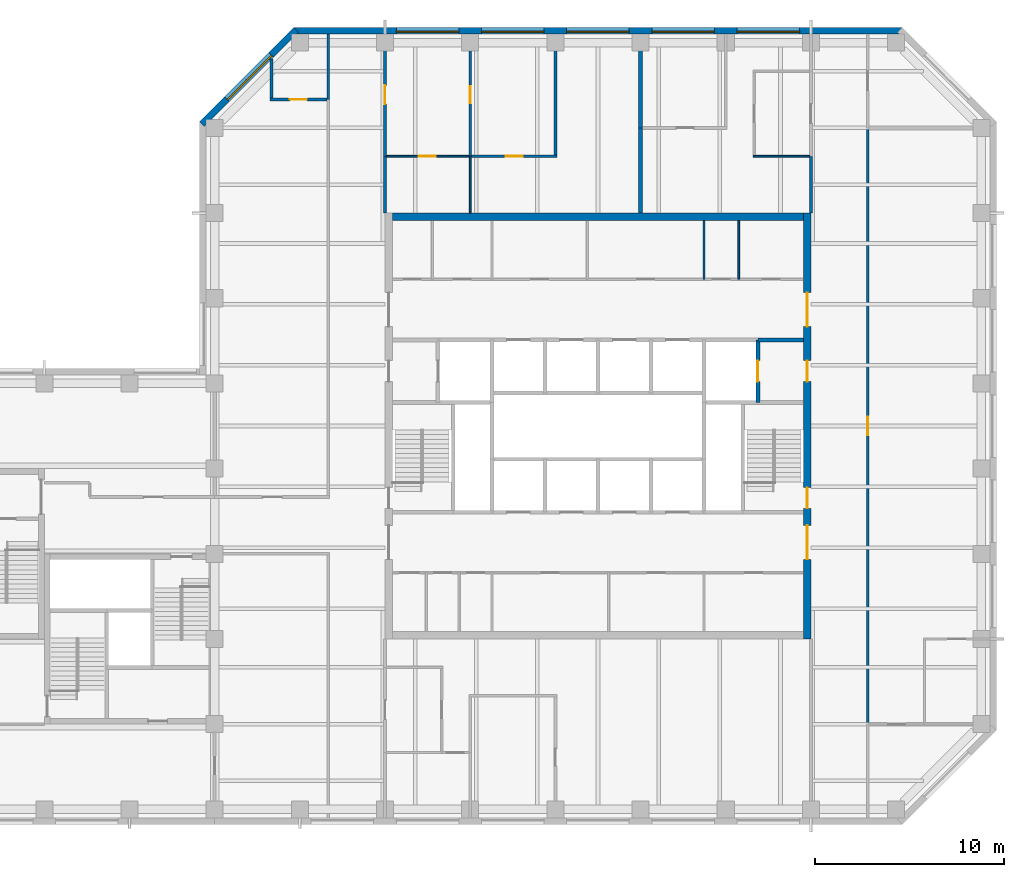
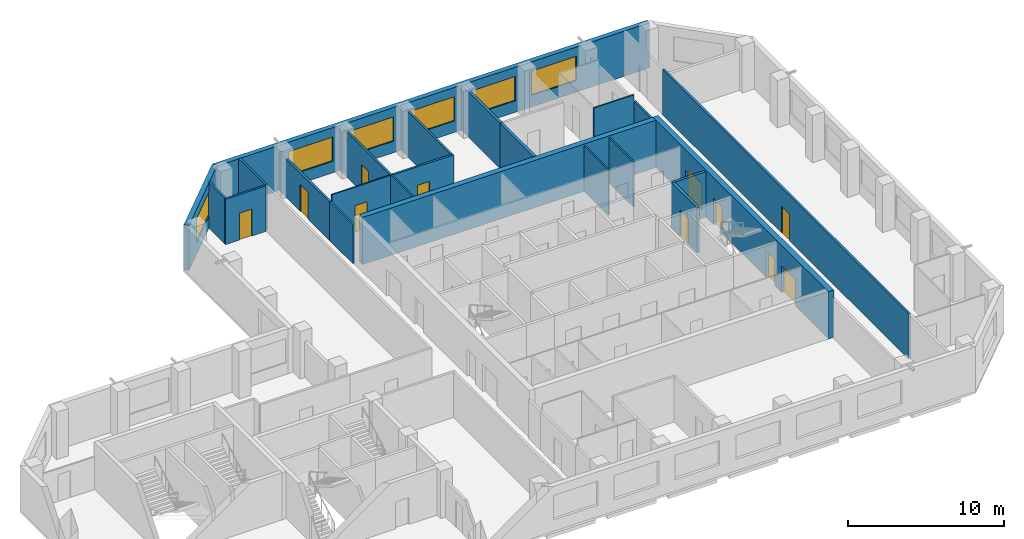
# One storey, part 6 of 9: 23 walls, 11 doors, 6 windows, 17 openings.
"""IFC4 building model written with IfcOpenShell, lengths in metres."""

from ifc_helpers import new_model, si_unit, direction, frame, frame_2d, origin, place, context, subcontext, project, spatial, rectangle, extrude, material, layer, layer_set, constituent, constituent_set, type_object, element, fill, save


model = new_model("IFC4")

# Units and contexts
model_context = context("Model", 3, precision=1e-05, world=origin(), true_north=direction((0.0, 1.0)))
body_context = subcontext(model_context, "Body", "Model", "MODEL_VIEW")
ifc_project = project(units=[si_unit("LENGTHUNIT", "METRE"), si_unit("AREAUNIT", "SQUARE_METRE"), si_unit("VOLUMEUNIT", "CUBIC_METRE"), si_unit("PLANEANGLEUNIT", "RADIAN"), si_unit("MASSUNIT", "GRAM", prefix="KILO")], contexts=[model_context])

# Site, building, storey
site_placement = place(None, origin())
site = spatial("IfcSite", under=ifc_project, at=site_placement, CompositionType="ELEMENT")
building_placement = place(site_placement, origin())
building = spatial("IfcBuilding", under=site, at=building_placement, Name="Quoin Convention Tower", CompositionType="ELEMENT")
storey_placement = place(building_placement, frame((0.0, 0.0, 169.89990234375)))
storey = spatial("IfcBuildingStorey", under=building, at=storey_placement, Name="L44", CompositionType="ELEMENT", Elevation=169.89990234375)

# Wall, opening, door
ifc_material_1 = material(Name="Plasterboard")
ifc_layer_1 = layer(ifc_material_1, 0.012451171875, Name="Finish")
ifc_material_2 = material(Name="Steel stud framing", Category="steel")
ifc_layer_2 = layer(ifc_material_2, 0.125, Name="Structure")
ifc_layer_3 = layer(ifc_material_1, 0.012451171875, Name="Finish")
ifc_layer_set_1 = layer_set([ifc_layer_1, ifc_layer_2, ifc_layer_3], Name="Steel stud framing")
wall_type_1 = type_object("IfcWallType", Name="Acoustic partition 150", PredefinedType="PARTITIONING", material=ifc_layer_set_1)
wall_1_placement = place(storey_placement, frame((49.574951171875, 75.0, 0.0), z_axis=(0.0, 0.0, 1.0), x_axis=(1.0, 0.0, 0.0)))
wall_1 = element("IfcWall", 1, at=wall_1_placement, inside=storey, type_object=wall_type_1, Name="pw-L44-019", PredefinedType="PARTITIONING", context=body_context, shape_type="SweptSolid", body=[
    extrude(rectangle(XDim=4.5, YDim=0.14990234375, at=frame_2d((2.25, 0.0))), origin(), (0.0, 0.0, 1.0), 3.550048828125),
])
opening_1_placement = place(wall_1_placement, frame((1.800048828125, 0.0, 0.0)))
opening_1 = element("IfcOpeningElement", 2, at=opening_1_placement, cuts=wall_1, Name="Opening DOH4-07", PredefinedType="OPENING", context=body_context, shape_type="SweptSolid", body=[
    extrude(rectangle(XDim=0.89990234375, YDim=2.10009765625, at=frame_2d((0.449951171875, 1.050048828125))), frame((0.0, 0.0849609375, 0.0), z_axis=(0.0, -1.0, 0.0), x_axis=(1.0, 0.0, 0.0)), (0.0, 0.0, 1.0), 0.169921875),
])
ifc_material_3 = material(Name="Steel door leaf", Category="steel")
door_type_1 = type_object("IfcDoorType", Name="Office door 900 x 2100", OperationType="SINGLE_SWING_RIGHT", PredefinedType="DOOR", material=ifc_material_3)
door_1_placement = place(opening_1_placement, frame((0.89990234375, 0.0, 0.0), z_axis=(0.0, 0.0, 1.0), x_axis=(-1.0, 0.0, 0.0)))
door_1 = element("IfcDoor", 3, at=door_1_placement, inside=storey, type_object=door_type_1, Name="dr-L44-18", OperationType="SINGLE_SWING_LEFT", OverallHeight=2.10009765625, OverallWidth=0.89990234375, PredefinedType="DOOR", context=body_context, shape_type="SweptSolid", body=[
    extrude(rectangle(XDim=0.89990234375, YDim=2.10009765625, at=frame_2d((0.449951171875, 1.050048828125))), frame((0.0, 0.02490234375, 0.0), z_axis=(0.0, -1.0, 0.0), x_axis=(1.0, 0.0, 0.0)), (0.0, 0.0, 1.0), 0.050048828125),
])
fill(opening_1, door_1)

wall_2_placement = place(storey_placement, frame((49.5, 75.0, 0.0), z_axis=(0.0, 0.0, 1.0), x_axis=(0.0, 1.0, 0.0)))
wall_2 = element("IfcWall", 4, at=wall_2_placement, inside=storey, type_object=wall_type_1, Name="pw-L44-057", PredefinedType="PARTITIONING", context=body_context, shape_type="SweptSolid", body=[
    extrude(rectangle(XDim=6.449951171875, YDim=0.14990234375, at=frame_2d((3.22509765625, 0.0))), origin(), (0.0, 0.0, 1.0), 3.550048828125),
])
opening_2_placement = place(wall_2_placement, frame((2.800048828125, 0.0, 0.0)))
opening_2 = element("IfcOpeningElement", 5, at=opening_2_placement, cuts=wall_2, Name="Opening DOH4-16", PredefinedType="OPENING", context=body_context, shape_type="SweptSolid", body=[
    extrude(rectangle(XDim=0.89990234375, YDim=2.10009765625, at=frame_2d((0.449951171875, 1.050048828125))), frame((0.0, 0.0849609375, 0.0), z_axis=(0.0, -1.0, 0.0), x_axis=(1.0, 0.0, 0.0)), (0.0, 0.0, 1.0), 0.169921875),
])
door_2_placement = place(opening_2_placement, origin())
door_2 = element("IfcDoor", 6, at=door_2_placement, inside=storey, type_object=door_type_1, Name="dr-L44-16", OperationType="SINGLE_SWING_RIGHT", OverallHeight=2.10009765625, OverallWidth=0.89990234375, PredefinedType="DOOR", context=body_context, shape_type="SweptSolid", body=[
    extrude(rectangle(XDim=0.89990234375, YDim=2.10009765625, at=frame_2d((0.449951171875, 1.050048828125))), frame((0.0, 0.02490234375, 0.0), z_axis=(0.0, -1.0, 0.0), x_axis=(1.0, 0.0, 0.0)), (0.0, 0.0, 1.0), 0.050048828125),
])
fill(opening_2, door_2)

# Wall
wall_3_placement = place(storey_placement, frame((54.0, 75.074951171875, 0.0), z_axis=(0.0, 0.0, 1.0), x_axis=(0.0, 1.0, 0.0)))
element("IfcWall", 7, at=wall_3_placement, inside=storey, type_object=wall_type_1, Name="pw-L44-060", PredefinedType="PARTITIONING", context=body_context, shape_type="SweptSolid", body=[
    extrude(rectangle(XDim=6.375, YDim=0.14990234375, at=frame_2d((3.1875, 0.0))), origin(), (0.0, 0.0, 1.0), 3.550048828125),
])

# Wall, openings, windows
ifc_material_4 = material(Name="Brick masonry", Category="masonry")
ifc_layer_4 = layer(ifc_material_4, 0.35009765625)
ifc_layer_set_2 = layer_set([ifc_layer_4], Name="Brick masonry")
wall_type_2 = type_object("IfcWallType", Name="Brick facade wall", PredefinedType="STANDARD", material=ifc_layer_set_2)
wall_4_placement = place(storey_placement, frame((72.331298828125, 81.625, 0.0), z_axis=(0.0, 0.0, 1.0), x_axis=(-1.0, 0.0, 0.0)))
wall_4 = element("IfcWall", 8, at=wall_4_placement, inside=storey, type_object=wall_type_2, Name="fw-L44-72000_81000", PredefinedType="STANDARD", context=body_context, shape_type="SweptSolid", body=[
    extrude(rectangle(XDim=32.16259765625, YDim=0.35009765625, at=frame_2d((16.081298828125, 0.0))), origin(), (0.0, 0.0, 1.0), 3.525146484375),
])
opening_3_placement = place(wall_4_placement, frame((5.431396484375, 0.0, 0.89990234375)))
opening_3 = element("IfcOpeningElement", 9, at=opening_3_placement, cuts=wall_4, Name="Opening W-02", PredefinedType="OPENING", context=body_context, shape_type="SweptSolid", body=[
    extrude(rectangle(XDim=3.300048828125, YDim=1.89990234375, at=frame_2d((1.64990234375, 0.949951171875))), frame((0.0, 0.18505859375, 0.0), z_axis=(0.0, -1.0, 0.0), x_axis=(1.0, 0.0, 0.0)), (0.0, 0.0, 1.0), 0.3701171875),
])
opening_4_placement = place(wall_4_placement, frame((9.931396484375, 0.0, 0.89990234375)))
opening_4 = element("IfcOpeningElement", 10, at=opening_4_placement, cuts=wall_4, Name="Opening W-02", PredefinedType="OPENING", context=body_context, shape_type="SweptSolid", body=[
    extrude(rectangle(XDim=3.300048828125, YDim=1.89990234375, at=frame_2d((1.64990234375, 0.949951171875))), frame((0.0, 0.18505859375, 0.0), z_axis=(0.0, -1.0, 0.0), x_axis=(1.0, 0.0, 0.0)), (0.0, 0.0, 1.0), 0.3701171875),
])
opening_5_placement = place(wall_4_placement, frame((14.431396484375, 0.0, 0.89990234375)))
opening_5 = element("IfcOpeningElement", 11, at=opening_5_placement, cuts=wall_4, Name="Opening W-02", PredefinedType="OPENING", context=body_context, shape_type="SweptSolid", body=[
    extrude(rectangle(XDim=3.300048828125, YDim=1.89990234375, at=frame_2d((1.64990234375, 0.949951171875))), frame((0.0, 0.18505859375, 0.0), z_axis=(0.0, -1.0, 0.0), x_axis=(1.0, 0.0, 0.0)), (0.0, 0.0, 1.0), 0.3701171875),
])
opening_6_placement = place(wall_4_placement, frame((18.931396484375, 0.0, 0.89990234375)))
opening_6 = element("IfcOpeningElement", 12, at=opening_6_placement, cuts=wall_4, Name="Opening W-02", PredefinedType="OPENING", context=body_context, shape_type="SweptSolid", body=[
    extrude(rectangle(XDim=3.300048828125, YDim=1.89990234375, at=frame_2d((1.64990234375, 0.949951171875))), frame((0.0, 0.18505859375, 0.0), z_axis=(0.0, -1.0, 0.0), x_axis=(1.0, 0.0, 0.0)), (0.0, 0.0, 1.0), 0.3701171875),
])
opening_7_placement = place(wall_4_placement, frame((23.431396484375, 0.0, 0.89990234375)))
opening_7 = element("IfcOpeningElement", 13, at=opening_7_placement, cuts=wall_4, Name="Opening W-02", PredefinedType="OPENING", context=body_context, shape_type="SweptSolid", body=[
    extrude(rectangle(XDim=3.300048828125, YDim=1.89990234375, at=frame_2d((1.64990234375, 0.949951171875))), frame((0.0, 0.18505859375, 0.0), z_axis=(0.0, -1.0, 0.0), x_axis=(1.0, 0.0, 0.0)), (0.0, 0.0, 1.0), 0.3701171875),
])
ifc_material_5 = material(Name="Aluminium", Category="aluminium")
ifc_constituent_1 = constituent(ifc_material_5, Name="Frame")
ifc_material_6 = material(Name="Insulated glass", Category="glass")
ifc_constituent_2 = constituent(ifc_material_6, Name="Glazing")
ifc_constituent_set = constituent_set(constituents=[ifc_constituent_1, ifc_constituent_2], Name="Aluminium")
window_type = type_object("IfcWindowType", Name="Office window", PartitioningType="DOUBLE_PANEL_VERTICAL", PredefinedType="WINDOW", material=ifc_constituent_set)
window_1_placement = place(opening_3_placement, origin())
window_1 = element("IfcWindow", 14, at=window_1_placement, inside=storey, type_object=window_type, Name="win-L44-65250_81625", OverallHeight=1.89990234375, OverallWidth=3.300048828125, PartitioningType="SINGLE_PANEL", PredefinedType="WINDOW", context=body_context, shape_type="SweptSolid", body=[
    extrude(rectangle(XDim=3.300048828125, YDim=1.89990234375, at=frame_2d((1.64990234375, 0.949951171875))), frame((0.0, 0.0849609375, 0.0), z_axis=(0.0, -1.0, 0.0), x_axis=(1.0, 0.0, 0.0)), (0.0, 0.0, 1.0), 0.06005859375),
])
fill(opening_3, window_1)
window_2_placement = place(opening_4_placement, origin())
window_2 = element("IfcWindow", 15, at=window_2_placement, inside=storey, type_object=window_type, Name="win-L44-60750_81625", OverallHeight=1.89990234375, OverallWidth=3.300048828125, PartitioningType="SINGLE_PANEL", PredefinedType="WINDOW", context=body_context, shape_type="SweptSolid", body=[
    extrude(rectangle(XDim=3.300048828125, YDim=1.89990234375, at=frame_2d((1.64990234375, 0.949951171875))), frame((0.0, 0.0849609375, 0.0), z_axis=(0.0, -1.0, 0.0), x_axis=(1.0, 0.0, 0.0)), (0.0, 0.0, 1.0), 0.06005859375),
])
fill(opening_4, window_2)
window_3_placement = place(opening_5_placement, origin())
window_3 = element("IfcWindow", 16, at=window_3_placement, inside=storey, type_object=window_type, Name="win-L44-56250_81625", OverallHeight=1.89990234375, OverallWidth=3.300048828125, PartitioningType="SINGLE_PANEL", PredefinedType="WINDOW", context=body_context, shape_type="SweptSolid", body=[
    extrude(rectangle(XDim=3.300048828125, YDim=1.89990234375, at=frame_2d((1.64990234375, 0.949951171875))), frame((0.0, 0.0849609375, 0.0), z_axis=(0.0, -1.0, 0.0), x_axis=(1.0, 0.0, 0.0)), (0.0, 0.0, 1.0), 0.06005859375),
])
fill(opening_5, window_3)
window_4_placement = place(opening_6_placement, origin())
window_4 = element("IfcWindow", 17, at=window_4_placement, inside=storey, type_object=window_type, Name="win-L44-51750_81625", OverallHeight=1.89990234375, OverallWidth=3.300048828125, PartitioningType="SINGLE_PANEL", PredefinedType="WINDOW", context=body_context, shape_type="SweptSolid", body=[
    extrude(rectangle(XDim=3.300048828125, YDim=1.89990234375, at=frame_2d((1.64990234375, 0.949951171875))), frame((0.0, 0.0849609375, 0.0), z_axis=(0.0, -1.0, 0.0), x_axis=(1.0, 0.0, 0.0)), (0.0, 0.0, 1.0), 0.06005859375),
])
fill(opening_6, window_4)
window_5_placement = place(opening_7_placement, origin())
window_5 = element("IfcWindow", 18, at=window_5_placement, inside=storey, type_object=window_type, Name="win-L44-47250_81625", OverallHeight=1.89990234375, OverallWidth=3.300048828125, PartitioningType="SINGLE_PANEL", PredefinedType="WINDOW", context=body_context, shape_type="SweptSolid", body=[
    extrude(rectangle(XDim=3.300048828125, YDim=1.89990234375, at=frame_2d((1.64990234375, 0.949951171875))), frame((0.0, 0.0849609375, 0.0), z_axis=(0.0, -1.0, 0.0), x_axis=(1.0, 0.0, 0.0)), (0.0, 0.0, 1.0), 0.06005859375),
])
fill(opening_7, window_5)

# Wall, opening, window
wall_5_placement = place(storey_placement, frame((40.29248046875, 81.67626953125, 0.0), z_axis=(0.0, 0.0, 1.0), x_axis=(-0.707106781187, -0.707106781187, 0.0)))
wall_5 = element("IfcWall", 19, at=wall_5_placement, inside=storey, type_object=wall_type_2, Name="fw-L44-40500_81000", PredefinedType="STANDARD", context=body_context, shape_type="SweptSolid", body=[
    extrude(rectangle(XDim=7.02685546875, YDim=0.35009765625, at=frame_2d((3.513427734375, 0.0))), origin(), (0.0, 0.0, 1.0), 3.525146484375),
])
opening_8_placement = place(wall_5_placement, frame((1.86328125, 0.0, 0.89990234375)))
opening_8 = element("IfcOpeningElement", 20, at=opening_8_placement, cuts=wall_5, Name="Opening W-02", PredefinedType="OPENING", context=body_context, shape_type="SweptSolid", body=[
    extrude(rectangle(XDim=3.300048828125, YDim=1.89990234375, at=frame_2d((1.64990234375, 0.949951171875))), frame((0.0, 0.18505859375, 0.0), z_axis=(0.0, -1.0, 0.0), x_axis=(1.0, 0.0, 0.0)), (0.0, 0.0, 1.0), 0.3701171875),
])
window_6_placement = place(opening_8_placement, origin())
window_6 = element("IfcWindow", 21, at=window_6_placement, inside=storey, type_object=window_type, Name="win-L44-37808_79192", OverallHeight=1.89990234375, OverallWidth=3.300048828125, PartitioningType="SINGLE_PANEL", PredefinedType="WINDOW", context=body_context, shape_type="SweptSolid", body=[
    extrude(rectangle(XDim=3.300048828125, YDim=1.89990234375, at=frame_2d((1.64990234375, 0.949951171875))), frame((0.0, 0.0849609375, 0.0), z_axis=(0.0, -1.0, 0.0), x_axis=(1.0, 0.0, 0.0)), (0.0, 0.0, 1.0), 0.06005859375),
])
fill(opening_8, window_6)

# Walls
ifc_layer_5 = layer(ifc_material_1, 0.012451171875, Name="Finish")
ifc_layer_6 = layer(ifc_material_2, 0.074951171875, Name="Structure")
ifc_layer_7 = layer(ifc_material_1, 0.012451171875, Name="Finish")
ifc_layer_set_3 = layer_set([ifc_layer_5, ifc_layer_6, ifc_layer_7], Name="Steel stud framing")
wall_type_3 = type_object("IfcWallType", Name="Core partition wall", PredefinedType="PARTITIONING", material=ifc_layer_set_3)
for number, where, z_axis, x_axis, name in (
    (22, (61.85009765625, 68.5, 0.0), (0.0, 0.0, 1.0), (0.0, 1.0, 0.0), "cr-C1-L44-v16850_19000"),
    (23, (63.6875, 68.5, 0.0), (0.0, 0.0, 1.0), (0.0, 1.0, 0.0), "cr-C1-L44-v18688_19000"),
):
    element("IfcWall", number, at=place(storey_placement, frame(where, z_axis=z_axis, x_axis=x_axis)), inside=storey, type_object=wall_type_3, Name=name, PredefinedType="PARTITIONING", context=body_context, shape_type="SweptSolid", body=[
        extrude(rectangle(XDim=3.10009765625, YDim=0.10009765625, at=frame_2d((1.550048828125, 0.0))), origin(), (0.0, 0.0, 1.0), 3.550048828125),
    ])
ifc_material_7 = material(Name="Concrete C50", Category="concrete")
ifc_layer_8 = layer(ifc_material_7, 0.199951171875)
ifc_layer_set_4 = layer_set([ifc_layer_8], Name="Concrete C50")
wall_type_4 = type_object("IfcWallType", Name="Core shaft wall", PredefinedType="SOLIDWALL", material=ifc_layer_set_4)
wall_6_placement = place(storey_placement, frame((64.699951171875, 65.300048828125, 0.0), z_axis=(0.0, 0.0, 1.0), x_axis=(1.0, 0.0, 0.0)))
element("IfcWall", 24, at=wall_6_placement, inside=storey, type_object=wall_type_4, Name="cr-C1-L44-h15800_19700", PredefinedType="SOLIDWALL", context=body_context, shape_type="SweptSolid", body=[
    extrude(rectangle(XDim=2.400146484375, YDim=0.199951171875, at=frame_2d((1.2001953125, 0.0))), origin(), (0.0, 0.0, 1.0), 3.550048828125),
])

# Wall, opening, door
wall_7_placement = place(storey_placement, frame((64.699951171875, 62.0, 0.0), z_axis=(0.0, 0.0, 1.0), x_axis=(0.0, 1.0, 0.0)))
wall_7 = element("IfcWall", 25, at=wall_7_placement, inside=storey, type_object=wall_type_4, Name="cr-C1-L44-v19700_12500", PredefinedType="SOLIDWALL", context=body_context, shape_type="SweptSolid", body=[
    extrude(rectangle(XDim=3.300048828125, YDim=0.199951171875, at=frame_2d((1.64990234375, 0.0))), origin(), (0.0, 0.0, 1.0), 3.550048828125),
])
opening_9_placement = place(wall_7_placement, frame((1.10009765625, 0.0, 0.0)))
opening_9 = element("IfcOpeningElement", 26, at=opening_9_placement, cuts=wall_7, Name="Opening LDFL2", PredefinedType="OPENING", context=body_context, shape_type="SweptSolid", body=[
    extrude(rectangle(XDim=1.10009765625, YDim=2.10009765625, at=frame_2d((0.550048828125, 1.050048828125))), frame((0.0, 0.10986328125, 0.0), z_axis=(0.0, -1.0, 0.0), x_axis=(1.0, 0.0, 0.0)), (0.0, 0.0, 1.0), 0.219970703125),
])
door_type_2 = type_object("IfcDoorType", Name="Lift landing door 1100 x 2100", OperationType="DOUBLE_DOOR_SLIDING", PredefinedType="DOOR", material=ifc_material_3)
door_3_placement = place(opening_9_placement, origin())
door_3 = element("IfcDoor", 27, at=door_3_placement, inside=storey, type_object=door_type_2, Name="cd-C1-L44-FLE-FFE-LDFL2", OperationType="DOUBLE_DOOR_SLIDING", OverallHeight=2.10009765625, OverallWidth=1.10009765625, PredefinedType="DOOR", context=body_context, shape_type="SweptSolid", body=[
    extrude(rectangle(XDim=1.10009765625, YDim=2.10009765625, at=frame_2d((0.550048828125, 1.050048828125))), frame((0.0, 0.02490234375, 0.0), z_axis=(0.0, -1.0, 0.0), x_axis=(1.0, 0.0, 0.0)), (0.0, 0.0, 1.0), 0.050048828125),
])
fill(opening_9, door_3)

ifc_layer_9 = layer(ifc_material_1, 0.012451171875, Name="Finish")
ifc_layer_10 = layer(ifc_material_2, 0.125, Name="Structure")
ifc_layer_11 = layer(ifc_material_1, 0.012451171875, Name="Finish")
ifc_layer_set_5 = layer_set([ifc_layer_9, ifc_layer_10, ifc_layer_11], Name="Steel stud framing")
wall_type_5 = type_object("IfcWallType", Name="Corridor wall 150", PredefinedType="PARTITIONING", material=ifc_layer_set_5)
wall_8_placement = place(storey_placement, frame((70.5, 45.0, 0.0), z_axis=(0.0, 0.0, 1.0), x_axis=(0.0, 1.0, 0.0)))
wall_8 = element("IfcWall", 28, at=wall_8_placement, inside=storey, type_object=wall_type_5, Name="pw-L44-039", PredefinedType="PARTITIONING", context=body_context, shape_type="SweptSolid", body=[
    extrude(rectangle(XDim=31.5, YDim=0.14990234375, at=frame_2d((15.75, 0.0))), origin(), (0.0, 0.0, 1.0), 3.550048828125),
])
opening_10_placement = place(wall_8_placement, frame((15.25, 0.0, 0.0)))
opening_10 = element("IfcOpeningElement", 29, at=opening_10_placement, cuts=wall_8, Name="Opening DOH4-14", PredefinedType="OPENING", context=body_context, shape_type="SweptSolid", body=[
    extrude(rectangle(XDim=1.0, YDim=2.10009765625, at=frame_2d((0.5, 1.050048828125))), frame((0.0, 0.0849609375, 0.0), z_axis=(0.0, -1.0, 0.0), x_axis=(1.0, 0.0, 0.0)), (0.0, 0.0, 1.0), 0.169921875),
])
door_type_3 = type_object("IfcDoorType", Name="Tenancy entrance door 1000 x 2100", OperationType="DOUBLE_DOOR_SINGLE_SWING", PredefinedType="DOOR", material=ifc_material_3)
door_4_placement = place(opening_10_placement, frame((1.0, 0.0, 0.0), z_axis=(0.0, 0.0, 1.0), x_axis=(-1.0, 0.0, 0.0)))
door_4 = element("IfcDoor", 30, at=door_4_placement, inside=storey, type_object=door_type_3, Name="dr-L44-22", OperationType="DOUBLE_DOOR_SINGLE_SWING", OverallHeight=2.10009765625, OverallWidth=1.0, PredefinedType="DOOR", context=body_context, shape_type="SweptSolid", body=[
    extrude(rectangle(XDim=1.0, YDim=2.10009765625, at=frame_2d((0.5, 1.050048828125))), frame((0.0, 0.02490234375, 0.0), z_axis=(0.0, -1.0, 0.0), x_axis=(1.0, 0.0, 0.0)), (0.0, 0.0, 1.0), 0.050048828125),
])
fill(opening_10, door_4)

# Walls
wall_9_placement = place(storey_placement, frame((42.0, 78.0, 0.0), z_axis=(0.0, 0.0, 1.0), x_axis=(0.0, 1.0, 0.0)))
element("IfcWall", 31, at=wall_9_placement, inside=storey, type_object=wall_type_5, Name="pw-L44-064", PredefinedType="PARTITIONING", context=body_context, shape_type="SweptSolid", body=[
    extrude(rectangle(XDim=3.449951171875, YDim=0.14990234375, at=frame_2d((1.72509765625, 0.0))), origin(), (0.0, 0.0, 1.0), 3.550048828125),
])
ifc_layer_12 = layer(ifc_material_1, 0.012451171875, Name="Finish")
ifc_layer_13 = layer(ifc_material_2, 0.125, Name="Structure")
ifc_layer_14 = layer(ifc_material_1, 0.012451171875, Name="Finish")
ifc_layer_set_6 = layer_set([ifc_layer_12, ifc_layer_13, ifc_layer_14], Name="Steel stud framing")
wall_type_6 = type_object("IfcWallType", Name="Corridor wall 150 under beam 528", PredefinedType="PARTITIONING", material=ifc_layer_set_6)
for number, where, z_axis, x_axis, name in (
    (32, (45.0, 72.0, 0.0), (0.0, 0.0, 1.0), (0.0, 1.0, 0.0), "pw-L44-052"),
    (33, (67.5, 72.0, 0.0), (0.0, 0.0, 1.0), (0.0, 1.0, 0.0), "pw-L44-055"),
):
    element("IfcWall", number, at=place(storey_placement, frame(where, z_axis=z_axis, x_axis=x_axis)), inside=storey, type_object=wall_type_6, Name=name, PredefinedType="PARTITIONING", context=body_context, shape_type="SweptSolid", body=[
        extrude(rectangle(XDim=3.0, YDim=0.14990234375, at=frame_2d((1.5, 0.0))), origin(), (0.0, 0.0, 1.0), 3.022216796875),
    ])

# Wall, opening, door
wall_10_placement = place(storey_placement, frame((45.0, 75.0, 0.0), z_axis=(0.0, 0.0, 1.0), x_axis=(0.0, 1.0, 0.0)))
wall_10 = element("IfcWall", 34, at=wall_10_placement, inside=storey, type_object=wall_type_6, Name="pw-L44-056", PredefinedType="PARTITIONING", context=body_context, shape_type="SweptSolid", body=[
    extrude(rectangle(XDim=6.449951171875, YDim=0.14990234375, at=frame_2d((3.22509765625, 0.0))), origin(), (0.0, 0.0, 1.0), 3.022216796875),
])
opening_11_placement = place(wall_10_placement, frame((2.75, 0.0, 0.0)))
opening_11 = element("IfcOpeningElement", 35, at=opening_11_placement, cuts=wall_10, Name="Opening DOH4-15", PredefinedType="OPENING", context=body_context, shape_type="SweptSolid", body=[
    extrude(rectangle(XDim=1.0, YDim=2.10009765625, at=frame_2d((0.5, 1.050048828125))), frame((0.0, 0.0849609375, 0.0), z_axis=(0.0, -1.0, 0.0), x_axis=(1.0, 0.0, 0.0)), (0.0, 0.0, 1.0), 0.169921875),
])
door_5_placement = place(opening_11_placement, frame((1.0, 0.0, 0.0), z_axis=(0.0, 0.0, 1.0), x_axis=(-1.0, 0.0, 0.0)))
door_5 = element("IfcDoor", 36, at=door_5_placement, inside=storey, type_object=door_type_3, Name="dr-L44-15", OperationType="DOUBLE_DOOR_SINGLE_SWING", OverallHeight=2.10009765625, OverallWidth=1.0, PredefinedType="DOOR", context=body_context, shape_type="SweptSolid", body=[
    extrude(rectangle(XDim=1.0, YDim=2.10009765625, at=frame_2d((0.5, 1.050048828125))), frame((0.0, 0.02490234375, 0.0), z_axis=(0.0, -1.0, 0.0), x_axis=(1.0, 0.0, 0.0)), (0.0, 0.0, 1.0), 0.050048828125),
])
fill(opening_11, door_5)

# Wall
ifc_layer_15 = layer(ifc_material_7, 0.39990234375)
ifc_layer_set_7 = layer_set([ifc_layer_15], Name="Concrete C50")
wall_type_7 = type_object("IfcWallType", Name="RC CORE WALL 400 C50", PredefinedType="SHEAR", material=ifc_layer_set_7)
wall_11_placement = place(storey_placement, frame((45.39990234375, 71.800048828125, 0.0), z_axis=(0.0, 0.0, 1.0), x_axis=(1.0, 0.0, 0.0)))
element("IfcWall", 37, at=wall_11_placement, inside=storey, type_object=wall_type_7, Name="cwl-C1-L44-N", PredefinedType="SHEAR", context=body_context, shape_type="SweptSolid", body=[
    extrude(rectangle(XDim=21.7001953125, YDim=0.39990234375, at=frame_2d((10.85009765625, 0.0))), origin(), (0.0, 0.0, 1.0), 3.7001953125),
])

# Wall, openings, doors
wall_12_placement = place(storey_placement, frame((67.300048828125, 49.5, 0.0), z_axis=(0.0, 0.0, 1.0), x_axis=(0.0, 1.0, 0.0)))
wall_12 = element("IfcWall", 38, at=wall_12_placement, inside=storey, type_object=wall_type_7, Name="cwl-C1-L44-E", PredefinedType="SHEAR", context=body_context, shape_type="SweptSolid", body=[
    extrude(rectangle(XDim=22.5, YDim=0.39990234375, at=frame_2d((11.25, 0.0))), origin(), (0.0, 0.0, 1.0), 3.7001953125),
])
opening_12_placement = place(wall_12_placement, frame((4.199951171875, 0.0, 0.0)))
opening_12 = element("IfcOpeningElement", 39, at=opening_12_placement, cuts=wall_12, Name="Opening DCV3-38", PredefinedType="OPENING", context=body_context, shape_type="SweptSolid", body=[
    extrude(rectangle(XDim=1.800048828125, YDim=2.10009765625, at=frame_2d((0.89990234375, 1.050048828125))), frame((0.0, 0.2099609375, 0.0), z_axis=(0.0, -1.0, 0.0), x_axis=(1.0, 0.0, 0.0)), (0.0, 0.0, 1.0), 0.419921875),
])
opening_13_placement = place(wall_12_placement, frame((6.89990234375, 0.0, 0.0)))
opening_13 = element("IfcOpeningElement", 40, at=opening_13_placement, cuts=wall_12, Name="Opening SD2", PredefinedType="OPENING", context=body_context, shape_type="SweptSolid", body=[
    extrude(rectangle(XDim=1.10009765625, YDim=2.10009765625, at=frame_2d((0.550048828125, 1.050048828125))), frame((0.0, 0.2099609375, 0.0), z_axis=(0.0, -1.0, 0.0), x_axis=(1.0, 0.0, 0.0)), (0.0, 0.0, 1.0), 0.419921875),
])
opening_14_placement = place(wall_12_placement, frame((13.60009765625, 0.0, 0.0)))
opening_14 = element("IfcOpeningElement", 41, at=opening_14_placement, cuts=wall_12, Name="Opening DCV3-37", PredefinedType="OPENING", context=body_context, shape_type="SweptSolid", body=[
    extrude(rectangle(XDim=1.10009765625, YDim=2.10009765625, at=frame_2d((0.550048828125, 1.050048828125))), frame((0.0, 0.2099609375, 0.0), z_axis=(0.0, -1.0, 0.0), x_axis=(1.0, 0.0, 0.0)), (0.0, 0.0, 1.0), 0.419921875),
])
opening_15_placement = place(wall_12_placement, frame((16.5, 0.0, 0.0)))
opening_15 = element("IfcOpeningElement", 42, at=opening_15_placement, cuts=wall_12, Name="Opening DCV3-38", PredefinedType="OPENING", context=body_context, shape_type="SweptSolid", body=[
    extrude(rectangle(XDim=1.800048828125, YDim=2.10009765625, at=frame_2d((0.89990234375, 1.050048828125))), frame((0.0, 0.2099609375, 0.0), z_axis=(0.0, -1.0, 0.0), x_axis=(1.0, 0.0, 0.0)), (0.0, 0.0, 1.0), 0.419921875),
])
door_type_4 = type_object("IfcDoorType", Name="Fire-fighting lobby door 1100 x 2100", OperationType="SINGLE_SWING_LEFT", PredefinedType="DOOR", material=ifc_material_3)
door_6_placement = place(opening_14_placement, origin())
door_6 = element("IfcDoor", 43, at=door_6_placement, inside=storey, type_object=door_type_4, Name="cd-C1-L44-FFE-E", OperationType="SINGLE_SWING_RIGHT", OverallHeight=2.10009765625, OverallWidth=1.10009765625, PredefinedType="DOOR", context=body_context, shape_type="SweptSolid", body=[
    extrude(rectangle(XDim=1.10009765625, YDim=2.10009765625, at=frame_2d((0.550048828125, 1.050048828125))), frame((0.0, 0.02490234375, 0.0), z_axis=(0.0, -1.0, 0.0), x_axis=(1.0, 0.0, 0.0)), (0.0, 0.0, 1.0), 0.050048828125),
])
fill(opening_14, door_6)
door_type_5 = type_object("IfcDoorType", Name="Lift lobby door 1800 x 2100", OperationType="SINGLE_SWING_LEFT", PredefinedType="DOOR", material=ifc_material_3)
door_7_placement = place(opening_12_placement, origin())
door_7 = element("IfcDoor", 44, at=door_7_placement, inside=storey, type_object=door_type_5, Name="cd-C1-L44-lobA-E", OperationType="SINGLE_SWING_RIGHT", OverallHeight=2.10009765625, OverallWidth=1.800048828125, PredefinedType="DOOR", context=body_context, shape_type="SweptSolid", body=[
    extrude(rectangle(XDim=1.800048828125, YDim=2.10009765625, at=frame_2d((0.89990234375, 1.050048828125))), frame((0.0, 0.02490234375, 0.0), z_axis=(0.0, -1.0, 0.0), x_axis=(1.0, 0.0, 0.0)), (0.0, 0.0, 1.0), 0.050048828125),
])
fill(opening_12, door_7)
door_8_placement = place(opening_15_placement, origin())
door_8 = element("IfcDoor", 45, at=door_8_placement, inside=storey, type_object=door_type_5, Name="cd-C1-L44-lobB-E", OperationType="SINGLE_SWING_RIGHT", OverallHeight=2.10009765625, OverallWidth=1.800048828125, PredefinedType="DOOR", context=body_context, shape_type="SweptSolid", body=[
    extrude(rectangle(XDim=1.800048828125, YDim=2.10009765625, at=frame_2d((0.89990234375, 1.050048828125))), frame((0.0, 0.02490234375, 0.0), z_axis=(0.0, -1.0, 0.0), x_axis=(1.0, 0.0, 0.0)), (0.0, 0.0, 1.0), 0.050048828125),
])
fill(opening_15, door_8)
door_type_6 = type_object("IfcDoorType", Name="Stair door 1100 x 2100", OperationType="SINGLE_SWING_RIGHT", PredefinedType="DOOR", material=ifc_material_3)
door_9_placement = place(opening_13_placement, origin())
door_9 = element("IfcDoor", 46, at=door_9_placement, inside=storey, type_object=door_type_6, Name="cd-C1-L44-STE-E", OperationType="SINGLE_SWING_LEFT", OverallHeight=2.10009765625, OverallWidth=1.10009765625, PredefinedType="DOOR", context=body_context, shape_type="SweptSolid", body=[
    extrude(rectangle(XDim=1.10009765625, YDim=2.10009765625, at=frame_2d((0.550048828125, 1.050048828125))), frame((0.0, 0.02490234375, 0.0), z_axis=(0.0, -1.0, 0.0), x_axis=(1.0, 0.0, 0.0)), (0.0, 0.0, 1.0), 0.050048828125),
])
fill(opening_13, door_9)

# Wall, opening, door
ifc_layer_16 = layer(ifc_material_1, 0.012451171875, Name="Finish")
ifc_layer_17 = layer(ifc_material_2, 0.074951171875, Name="Structure")
ifc_layer_18 = layer(ifc_material_1, 0.012451171875, Name="Finish")
ifc_layer_set_8 = layer_set([ifc_layer_16, ifc_layer_17, ifc_layer_18], Name="Steel stud framing")
wall_type_8 = type_object("IfcWallType", Name="Stud partition 100", PredefinedType="PARTITIONING", material=ifc_layer_set_8)
wall_13_placement = place(storey_placement, frame((45.074951171875, 75.0, 0.0), z_axis=(0.0, 0.0, 1.0), x_axis=(1.0, 0.0, 0.0)))
wall_13 = element("IfcWall", 47, at=wall_13_placement, inside=storey, type_object=wall_type_8, Name="pw-L44-018", PredefinedType="PARTITIONING", context=body_context, shape_type="SweptSolid", body=[
    extrude(rectangle(XDim=4.35009765625, YDim=0.10009765625, at=frame_2d((2.175048828125, 0.0))), origin(), (0.0, 0.0, 1.0), 3.550048828125),
])
opening_16_placement = place(wall_13_placement, frame((1.699951171875, 0.0, 0.0)))
opening_16 = element("IfcOpeningElement", 48, at=opening_16_placement, cuts=wall_13, Name="Opening DOH4-06", PredefinedType="OPENING", context=body_context, shape_type="SweptSolid", body=[
    extrude(rectangle(XDim=0.89990234375, YDim=2.10009765625, at=frame_2d((0.449951171875, 1.050048828125))), frame((0.0, 0.06005859375, 0.0), z_axis=(0.0, -1.0, 0.0), x_axis=(1.0, 0.0, 0.0)), (0.0, 0.0, 1.0), 0.1201171875),
])
door_10_placement = place(opening_16_placement, origin())
door_10 = element("IfcDoor", 49, at=door_10_placement, inside=storey, type_object=door_type_1, Name="dr-L44-17", OperationType="SINGLE_SWING_RIGHT", OverallHeight=2.10009765625, OverallWidth=0.89990234375, PredefinedType="DOOR", context=body_context, shape_type="SweptSolid", body=[
    extrude(rectangle(XDim=0.89990234375, YDim=2.10009765625, at=frame_2d((0.449951171875, 1.050048828125))), frame((0.0, 0.02490234375, 0.0), z_axis=(0.0, -1.0, 0.0), x_axis=(1.0, 0.0, 0.0)), (0.0, 0.0, 1.0), 0.050048828125),
])
fill(opening_16, door_10)

# Walls
wall_14_placement = place(storey_placement, frame((64.449951171875, 75.0, 0.0), z_axis=(0.0, 0.0, 1.0), x_axis=(1.0, 0.0, 0.0)))
element("IfcWall", 50, at=wall_14_placement, inside=storey, type_object=wall_type_8, Name="pw-L44-020", PredefinedType="PARTITIONING", context=body_context, shape_type="SweptSolid", body=[
    extrude(rectangle(XDim=2.97509765625, YDim=0.10009765625, at=frame_2d((1.487548828125, 0.0))), origin(), (0.0, 0.0, 1.0), 3.550048828125),
])
wall_15_placement = place(storey_placement, frame((49.5, 72.0, 0.0), z_axis=(0.0, 0.0, 1.0), x_axis=(0.0, 1.0, 0.0)))
element("IfcWall", 51, at=wall_15_placement, inside=storey, type_object=wall_type_8, Name="pw-L44-053", PredefinedType="PARTITIONING", context=body_context, shape_type="SweptSolid", body=[
    extrude(rectangle(XDim=3.0, YDim=0.10009765625, at=frame_2d((1.5, 0.0))), origin(), (0.0, 0.0, 1.0), 3.550048828125),
])
ifc_layer_19 = layer(ifc_material_1, 0.012451171875, Name="Finish")
ifc_layer_20 = layer(ifc_material_2, 0.175048828125, Name="Structure")
ifc_layer_21 = layer(ifc_material_1, 0.012451171875, Name="Finish")
ifc_layer_set_9 = layer_set([ifc_layer_19, ifc_layer_20, ifc_layer_21], Name="Steel stud framing")
wall_type_9 = type_object("IfcWallType", Name="Tenancy demising wall 200", PredefinedType="PARTITIONING", material=ifc_layer_set_9)
wall_16_placement = place(storey_placement, frame((58.5, 72.0, 0.0), z_axis=(0.0, 0.0, 1.0), x_axis=(0.0, 1.0, 0.0)))
element("IfcWall", 52, at=wall_16_placement, inside=storey, type_object=wall_type_9, Name="pw-L44-054", PredefinedType="PARTITIONING", context=body_context, shape_type="SweptSolid", body=[
    extrude(rectangle(XDim=4.5, YDim=0.199951171875, at=frame_2d((2.25, 0.0))), origin(), (0.0, 0.0, 1.0), 3.550048828125),
])
wall_17_placement = place(storey_placement, frame((58.5, 76.5, 0.0), z_axis=(0.0, 0.0, 1.0), x_axis=(0.0, 1.0, 0.0)))
element("IfcWall", 53, at=wall_17_placement, inside=storey, type_object=wall_type_9, Name="pw-L44-061", PredefinedType="PARTITIONING", context=body_context, shape_type="SweptSolid", body=[
    extrude(rectangle(XDim=4.949951171875, YDim=0.199951171875, at=frame_2d((2.47509765625, 0.0))), origin(), (0.0, 0.0, 1.0), 3.550048828125),
])

# Wall, opening, door
ifc_layer_22 = layer(ifc_material_1, 0.012451171875, Name="Finish")
ifc_layer_23 = layer(ifc_material_2, 0.125, Name="Structure")
ifc_layer_24 = layer(ifc_material_1, 0.012451171875, Name="Finish")
ifc_layer_set_10 = layer_set([ifc_layer_22, ifc_layer_23, ifc_layer_24], Name="Steel stud framing")
wall_type_10 = type_object("IfcWallType", Name="Wet area partition 150", PredefinedType="PARTITIONING", material=ifc_layer_set_10)
wall_18_placement = place(storey_placement, frame((38.925048828125, 78.0, 0.0), z_axis=(0.0, 0.0, 1.0), x_axis=(1.0, 0.0, 0.0)))
wall_18 = element("IfcWall", 54, at=wall_18_placement, inside=storey, type_object=wall_type_10, Name="pw-L44-023", PredefinedType="PARTITIONING", context=body_context, shape_type="SweptSolid", body=[
    extrude(rectangle(XDim=3.0, YDim=0.14990234375, at=frame_2d((1.5, 0.0))), origin(), (0.0, 0.0, 1.0), 3.550048828125),
])
opening_17_placement = place(wall_18_placement, frame((1.050048828125, 0.0, 0.0)))
opening_17 = element("IfcOpeningElement", 55, at=opening_17_placement, cuts=wall_18, Name="Opening DOH4-09", PredefinedType="OPENING", context=body_context, shape_type="SweptSolid", body=[
    extrude(rectangle(XDim=0.89990234375, YDim=2.10009765625, at=frame_2d((0.449951171875, 1.050048828125))), frame((0.0, 0.0849609375, 0.0), z_axis=(0.0, -1.0, 0.0), x_axis=(1.0, 0.0, 0.0)), (0.0, 0.0, 1.0), 0.169921875),
])
door_11_placement = place(opening_17_placement, frame((0.89990234375, 0.0, 0.0), z_axis=(0.0, 0.0, 1.0), x_axis=(-1.0, 0.0, 0.0)))
door_11 = element("IfcDoor", 56, at=door_11_placement, inside=storey, type_object=door_type_1, Name="dr-L44-10", OperationType="SINGLE_SWING_LEFT", OverallHeight=2.10009765625, OverallWidth=0.89990234375, PredefinedType="DOOR", context=body_context, shape_type="SweptSolid", body=[
    extrude(rectangle(XDim=0.89990234375, YDim=2.10009765625, at=frame_2d((0.449951171875, 1.050048828125))), frame((0.0, 0.02490234375, 0.0), z_axis=(0.0, -1.0, 0.0), x_axis=(1.0, 0.0, 0.0)), (0.0, 0.0, 1.0), 0.050048828125),
])
fill(opening_17, door_11)

# Wall
wall_19_placement = place(storey_placement, frame((39.0, 78.074951171875, 0.0), z_axis=(0.0, 0.0, 1.0), x_axis=(0.0, 1.0, 0.0)))
element("IfcWall", 57, at=wall_19_placement, inside=storey, type_object=wall_type_10, Name="pw-L44-065", PredefinedType="PARTITIONING", context=body_context, shape_type="SweptSolid", body=[
    extrude(rectangle(XDim=2.0615234375, YDim=0.14990234375, at=frame_2d((1.03076171875, 0.0))), origin(), (0.0, 0.0, 1.0), 3.550048828125),
])

save(model, "model.ifc")
